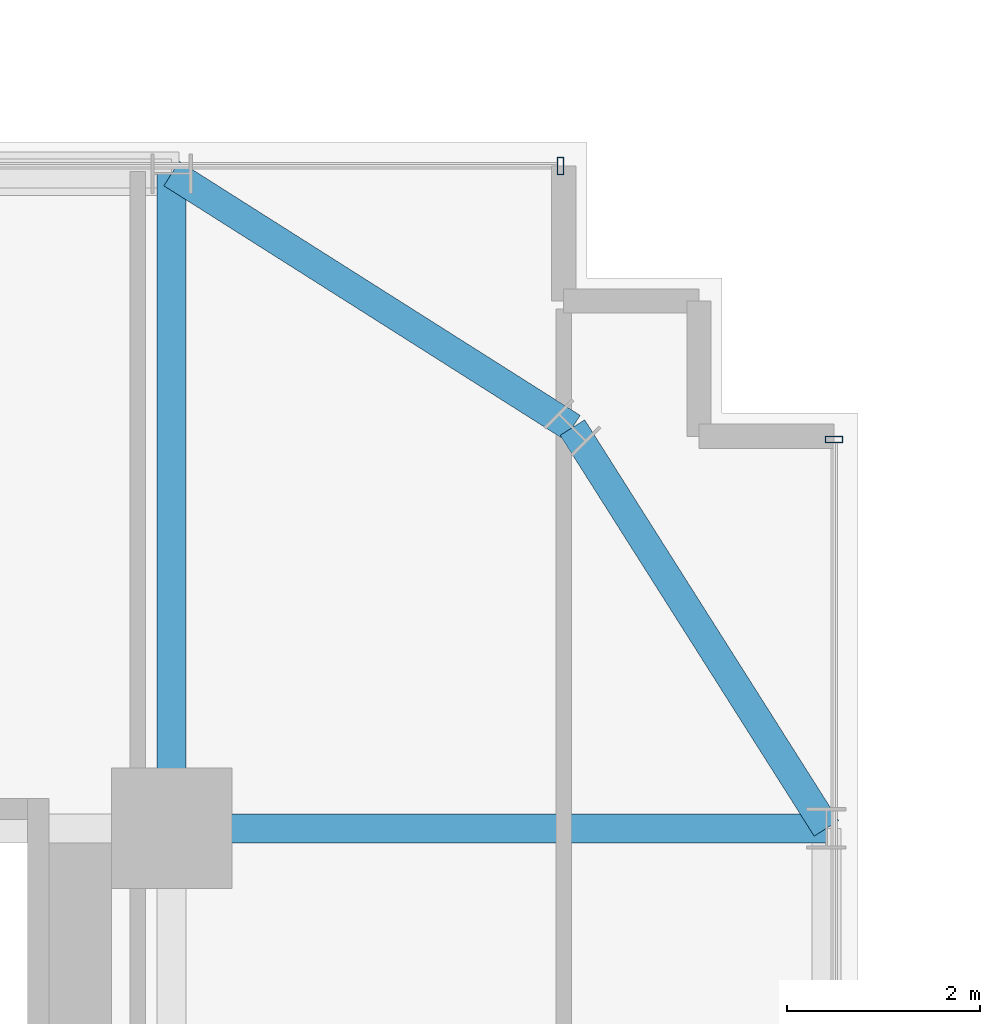
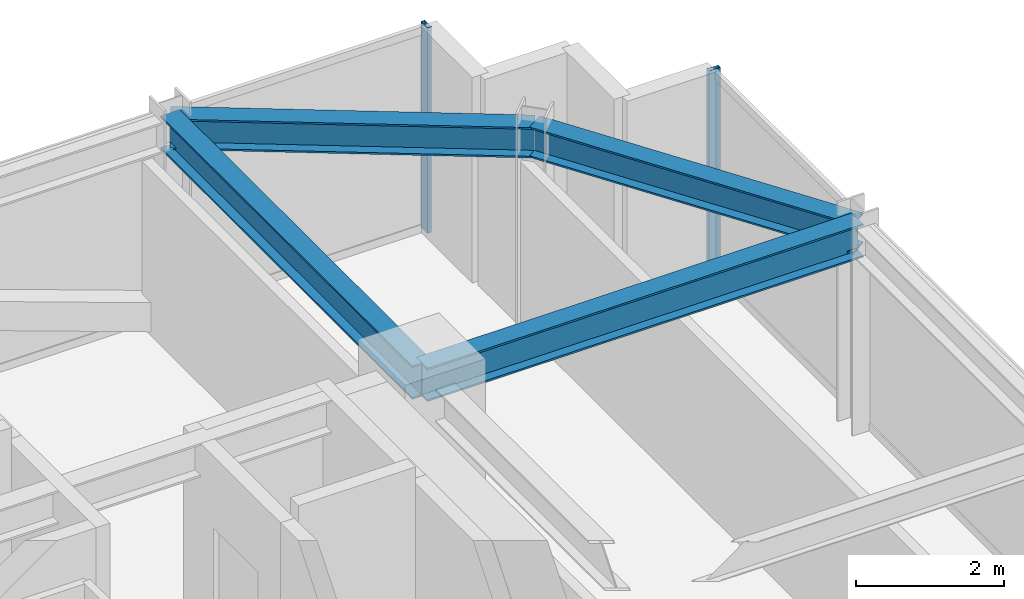
# One storey, part 25 of 34: 4 beams, 2 members, 2 elements without a shape of their own.
"""IFC4 building model written with IfcOpenShell, lengths in metres."""

from ifc_helpers import new_model, si_unit, direction, frame, origin, origin_2d, place, context, subcontext, project, spatial, hollow_rectangle, i_section, extrude, source, transform, mapped, material, material_profile, profile_set, type_object, element, aggregate, save


model = new_model("IFC4")

# Units and contexts
model_context = context("Model", 3, precision=1e-05, world=origin(), true_north=direction((0.0, 1.0)))
body_context = subcontext(model_context, "Body", "Model", "MODEL_VIEW")
ifc_project = project(units=[si_unit("LENGTHUNIT", "METRE"), si_unit("AREAUNIT", "SQUARE_METRE"), si_unit("VOLUMEUNIT", "CUBIC_METRE"), si_unit("PLANEANGLEUNIT", "RADIAN"), si_unit("MASSUNIT", "GRAM", prefix="KILO")], contexts=[model_context])

# Site, building, storey
site_placement = place(None, origin())
site = spatial("IfcSite", under=ifc_project, at=site_placement, CompositionType="ELEMENT")
building_placement = place(site_placement, origin())
building = spatial("IfcBuilding", under=site, at=building_placement, Name="Nahalor Promenade Grand Hotel", CompositionType="ELEMENT")
storey_placement = place(building_placement, frame((0.0, 0.0, 99.25)))
storey = spatial("IfcBuildingStorey", under=building, at=storey_placement, Name="L24", CompositionType="ELEMENT", Elevation=99.25)

# Beams
ifc_material_1 = material(Name="Steel S355JR", Category="steel")
ifc_material_profile_1 = material_profile(ifc_material_1, i_section(OverallWidth=0.3, OverallDepth=0.5, WebThickness=0.0145, FlangeThickness=0.028, at=origin_2d()), Name="HEB 500")
ifc_profile_set_1 = profile_set([ifc_material_profile_1], Name="Steel S355JR")
beam_type_1 = type_object("IfcBeamType", Name="Beam-Spandrel-HEB500", PredefinedType="SPANDREL", material=ifc_profile_set_1)
shared_shape_1 = source(origin(), body_context, "Body", "SweptSolid", [
    extrude(i_section(OverallWidth=0.3, OverallDepth=0.5, WebThickness=0.0145, FlangeThickness=0.028, at=origin_2d()), origin(), (0.0, 0.0, 1.0), 4.9130859375),
])
for number, where, z_axis, x_axis, name in (
    (1, (17.0, 23.780029296875, 3.1298828125), (0.844648325505, -0.535321591403, 0.0), (0.535321591403, 0.844648325505, 0.0), "BM-L24-SPC-NE-1"),
    (2, (21.14990234375, 21.14990234375, 3.1298828125), (0.535321591403, -0.844648325505, 0.0), (0.844648325505, 0.535321591403, 0.0), "BM-L24-SPC-NE-2"),
):
    element("IfcBeam", number, at=place(storey_placement, frame(where, z_axis=z_axis, x_axis=x_axis)), inside=storey, type_object=beam_type_1, Name=name, PredefinedType="SPANDREL", context=body_context, shape_type="MappedRepresentation", body=[
        mapped(shared_shape_1, transform((0.0, 0.0, 0.0), scale=1.0)),
    ])
ifc_material_profile_2 = material_profile(ifc_material_1, i_section(OverallWidth=0.3, OverallDepth=0.55, WebThickness=0.015, FlangeThickness=0.029, at=origin_2d()), Name="HEB 550")
ifc_profile_set_2 = profile_set([ifc_material_profile_2], Name="Steel S355JR")
beam_type_2 = type_object("IfcBeamType", Name="Beam-Girder-HEB550", PredefinedType="BEAM", material=ifc_profile_set_2)
shared_shape_2 = source(origin(), body_context, "Body", "SweptSolid", [
    extrude(i_section(OverallWidth=0.3, OverallDepth=0.55, WebThickness=0.015, FlangeThickness=0.029, at=origin_2d()), origin(), (0.0, 0.0, 1.0), 6.780029296875),
])
for number, where, z_axis, x_axis, name in (
    (3, (17.0, 17.0, 3.10498046875), (1.0, 0.0, 0.0), (0.0, 1.0, 0.0), "BM-L24-GX-3-6"),
    (4, (17.0, 17.0, 3.10498046875), (0.0, 1.0, 0.0), (-1.0, 0.0, 0.0), "BM-L24-GY-5-4"),
):
    element("IfcBeam", number, at=place(storey_placement, frame(where, z_axis=z_axis, x_axis=x_axis)), inside=storey, type_object=beam_type_2, Name=name, PredefinedType="BEAM", context=body_context, shape_type="MappedRepresentation", body=[
        mapped(shared_shape_2, transform((0.0, 0.0, 0.0), scale=1.0)),
    ])

# Curtain wall, member
ifc_material_2 = material(Name="Anodised Bronze Aluminium EN AW-6063 T6", Category="aluminium")
curtain_wall_type = type_object("IfcCurtainWallType", Name="CW2 Typical Hotel Flush Bronze Unitised Curtain Wall", PredefinedType="USERDEFINED", material=ifc_material_2)
curtain_wall_1_placement = place(storey_placement, origin())
curtain_wall_1 = element("IfcCurtainWall", 5, at=curtain_wall_1_placement, inside=storey, type_object=curtain_wall_type, Name="L24 Curtain Wall CW-L24-N-3", ObjectType="UNITISED_CURTAIN_WALL", PredefinedType="USERDEFINED")
ifc_material_profile_3 = material_profile(ifc_material_2, hollow_rectangle(XDim=0.065, YDim=0.18, WallThickness=0.004, at=origin_2d()), Name="CWM 65x180x4")
ifc_profile_set_3 = profile_set([ifc_material_profile_3], Name="Anodised Bronze Aluminium EN AW-6063 T6")
member_type = type_object("IfcMemberType", Name="CWM2 Typical Bronze Mullion 65x180", PredefinedType="MULLION", material=ifc_profile_set_3)
shared_shape_3 = source(origin(), body_context, "Body", "SweptSolid", [
    extrude(hollow_rectangle(XDim=0.065, YDim=0.18, WallThickness=0.004, at=origin_2d()), origin(), (0.0, 0.0, 1.0), 3.3798828125),
])
member_1_placement = place(storey_placement, frame((21.027587890625, 23.860107421875, 0.0), z_axis=(0.0, 0.0, 1.0), x_axis=(1.0, 0.0, 0.0)))
member_1 = element("IfcMember", 6, at=member_1_placement, type_object=member_type, Name="CW-L24-N-3 Mullion 3", PredefinedType="MULLION", context=body_context, shape_type="MappedRepresentation", body=[
    mapped(shared_shape_3, transform((0.0, 0.0, 0.0), scale=1.0)),
])
aggregate(curtain_wall_1, [member_1])

curtain_wall_2_placement = place(storey_placement, origin())
curtain_wall_2 = element("IfcCurtainWall", 7, at=curtain_wall_2_placement, inside=storey, type_object=curtain_wall_type, Name="L24 Curtain Wall CW-L24-E-3", ObjectType="UNITISED_CURTAIN_WALL", PredefinedType="USERDEFINED")
member_2_placement = place(storey_placement, frame((23.860107421875, 21.027587890625, 0.0), z_axis=(0.0, 0.0, 1.0), x_axis=(0.0, 1.0, 0.0)))
member_2 = element("IfcMember", 8, at=member_2_placement, type_object=member_type, Name="CW-L24-E-3 Mullion 3", PredefinedType="MULLION", context=body_context, shape_type="MappedRepresentation", body=[
    mapped(shared_shape_3, transform((0.0, 0.0, 0.0), scale=1.0)),
])
aggregate(curtain_wall_2, [member_2])

save(model, "model.ifc")
